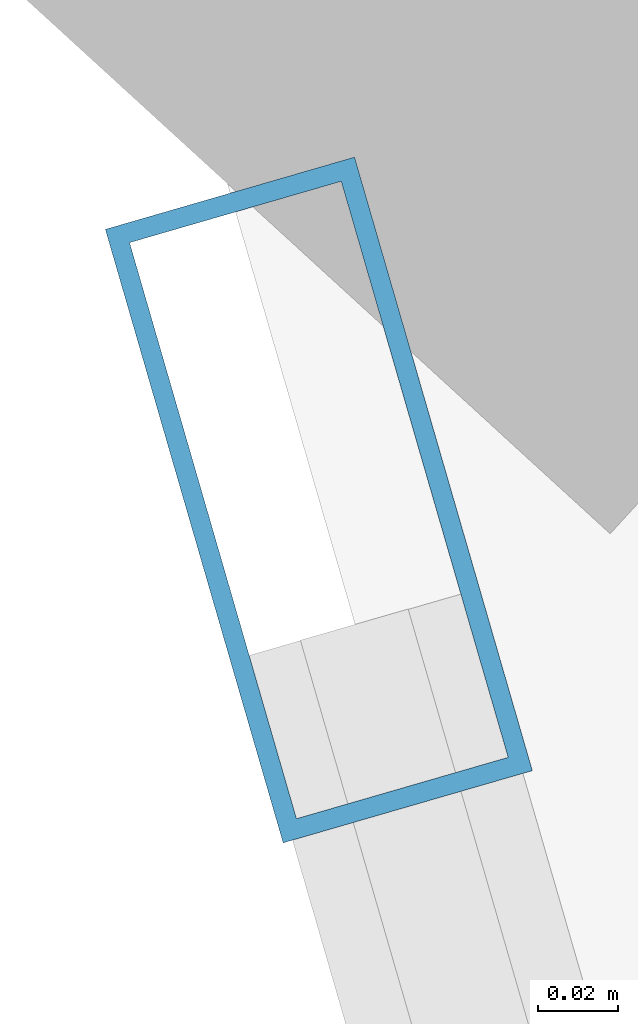
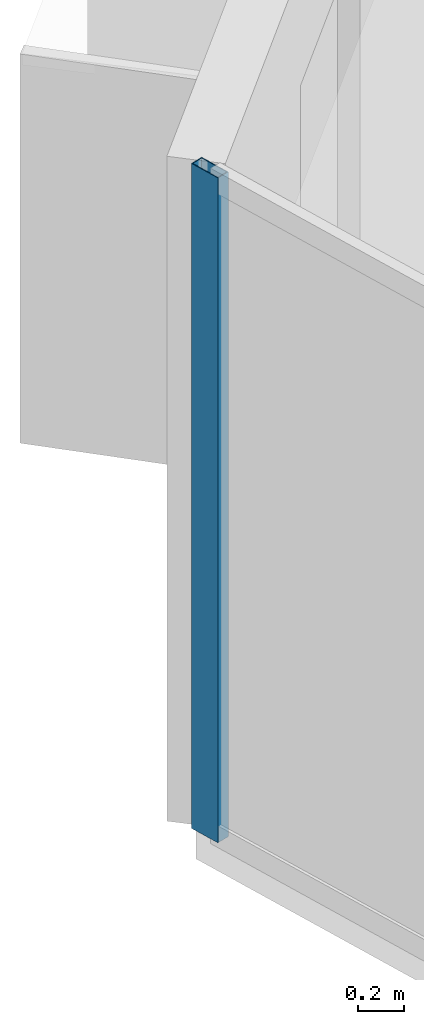
# One storey, part 10 of 23: 1 member, 1 element without a shape of its own.
"""IFC4 building model written with IfcOpenShell, lengths in metres."""

from ifc_helpers import new_model, si_unit, direction, frame, origin, origin_2d, place, context, subcontext, project, spatial, hollow_rectangle, extrude, material, layer, layer_set, material_profile, profile_set, type_object, element, aggregate, save


model = new_model("IFC4")

# Units and contexts
model_context = context("Model", 3, precision=1e-05, world=origin(), true_north=direction((0.0, 1.0)))
body_context = subcontext(model_context, "Body", "Model", "MODEL_VIEW")
ifc_project = project(units=[si_unit("LENGTHUNIT", "METRE"), si_unit("AREAUNIT", "SQUARE_METRE"), si_unit("VOLUMEUNIT", "CUBIC_METRE"), si_unit("PLANEANGLEUNIT", "RADIAN"), si_unit("MASSUNIT", "GRAM", prefix="KILO")], contexts=[model_context])

# Site, building, storey
site_placement = place(None, origin())
site = spatial("IfcSite", under=ifc_project, at=site_placement, CompositionType="ELEMENT")
building_placement = place(site_placement, origin())
building = spatial("IfcBuilding", under=site, at=building_placement, Name="Qianvela Tower", CompositionType="ELEMENT")
storey_placement = place(building_placement, frame((0.0, 0.0, 215.10009765625)))
storey = spatial("IfcBuildingStorey", under=building, at=storey_placement, Name="L55", CompositionType="ELEMENT", Elevation=215.10009765625)

# Curtain wall, member
ifc_material_1 = material(Name="Anodised Architectural Aluminium and Low-E Glass", Category="aluminium")
ifc_layer = layer(ifc_material_1, 0.159912109375)
ifc_layer_set = layer_set([ifc_layer], Name="Anodised Architectural Aluminium and Low-E Glass")
curtain_wall_type = type_object("IfcCurtainWallType", Name="CW-COLIV-Z56", PredefinedType="USERDEFINED", material=ifc_layer_set)
curtain_wall_placement = place(storey_placement, origin())
curtain_wall = element("IfcCurtainWall", 1, at=curtain_wall_placement, inside=storey, type_object=curtain_wall_type, Name="L55 CW-COLIV-Z56 Curtain Wall 04A", ObjectType="CURTAIN_WALL_SYSTEM", PredefinedType="USERDEFINED")
ifc_material_2 = material(Name="Anodised Architectural Aluminium 6063-T6", Category="aluminium")
ifc_material_profile = material_profile(ifc_material_2, hollow_rectangle(XDim=0.06494140625, YDim=0.159912109375, WallThickness=0.0048828125, at=origin_2d()), Name="ALU-MULL-65x160")
ifc_profile_set = profile_set([ifc_material_profile], Name="Anodised Architectural Aluminium 6063-T6")
member_type = type_object("IfcMemberType", Name="CW-COLIV-Z56-MULL", PredefinedType="MULLION", material=ifc_profile_set)
member_placement = place(storey_placement, frame((19.44970703125, 34.395751953125, 0.0), z_axis=(0.0, 0.0, 1.0), x_axis=(0.960487497676, 0.2783231338, 0.0)))
member = element("IfcMember", 2, at=member_placement, type_object=member_type, Name="CW-5 mullion 1", PredefinedType="MULLION", context=body_context, shape_type="SweptSolid", body=[
    extrude(hollow_rectangle(XDim=0.06494140625, YDim=0.159912109375, WallThickness=0.0048828125, at=origin_2d()), origin(), (0.0, 0.0, 1.0), 3.52001953125),
])
aggregate(curtain_wall, [member])

save(model, "model.ifc")
